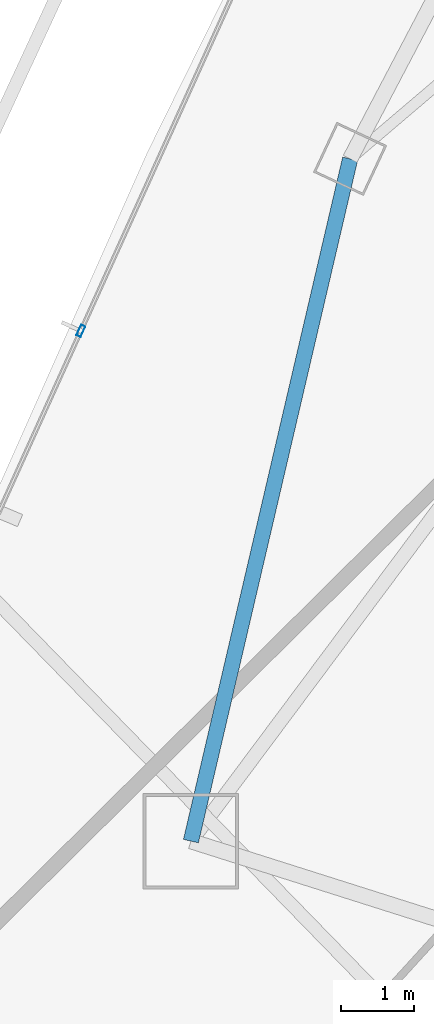
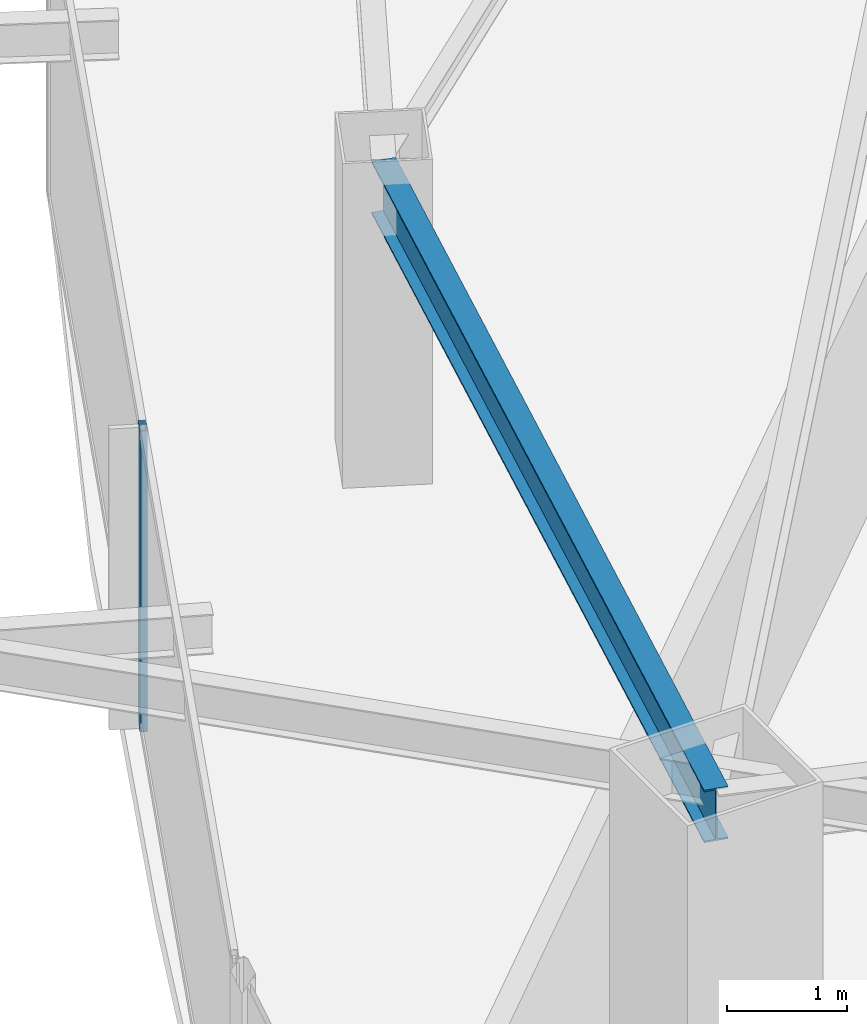
# One storey, part 6 of 33: 1 beam, 1 member, 1 element without a shape of its own.
"""IFC4 building model written with IfcOpenShell, lengths in metres."""

import ifcopenshell
import ifcopenshell.guid

model = None  # the IFC model being written
_history = None  # IfcOwnerHistory: only IFC2X3 demands one
_inside = {}  # id of a spatial element -> (the spatial element, [elements in it])
_under = {}  # id of a project, library or spatial element -> (it, [spatial elements below it])
_declared = {}  # id of a project -> (the project, [libraries it declares])
_typed = {}  # id of a type object -> (the type object, [elements of that type])
_made_of = {}  # id of a material, layer set ... -> (it, [elements and type objects made of it])


def new_model(schema):
    """Start an empty IFC model of exactly this schema.

    Asked for "IFC4X3", IfcOpenShell would pick the latest addendum, in which some entities
    have other attributes; the version numbers below select the first issue.
    IFC2X3 requires an IfcOwnerHistory on every rooted entity: one is made here for all.
    """
    global model, _history
    if schema == "IFC4X3":
        model = ifcopenshell.file(schema_version=(4, 3, 0, 0))
    else:
        model = ifcopenshell.file(schema=schema)
    _inside.clear()
    _under.clear()
    _declared.clear()
    _typed.clear()
    _made_of.clear()
    _history = None
    if model.schema == "IFC2X3":
        org = make("IfcOrganization", Name="unknown")
        user = make(
            "IfcPersonAndOrganization",
            ThePerson=make("IfcPerson", FamilyName="unknown"),
            TheOrganization=org,
        )
        app = make(
            "IfcApplication",
            ApplicationDeveloper=org,
            Version="unknown",
            ApplicationFullName="unknown",
            ApplicationIdentifier="unknown",
        )
        _history = make(
            "IfcOwnerHistory",
            OwningUser=user,
            OwningApplication=app,
            ChangeAction="ADDED",
            CreationDate=0,
        )
    return model


def make(cls, **values):
    """One entity of the class cls with the attributes given. An attribute that is None is left unset."""
    return model.create_entity(
        cls, **{name: value for name, value in values.items() if value is not None}
    )


def rooted(cls, **values):
    """An entity with a GlobalId (a new one), such as an element, a storey or a relation."""
    return make(cls, GlobalId=ifcopenshell.guid.new(), OwnerHistory=_history, **values)


def si_unit(unit_type, name, prefix=None):
    """IfcSIUnit, for example si_unit("LENGTHUNIT", "METRE", prefix="MILLI")."""
    return make("IfcSIUnit", UnitType=unit_type, Prefix=prefix, Name=name)


def assignment(units):
    """IfcUnitAssignment: the units of a project."""
    return None if units is None else make("IfcUnitAssignment", Units=units)


def point(xyz):
    """IfcCartesianPoint."""
    return None if xyz is None else make("IfcCartesianPoint", Coordinates=xyz)


def direction(xyz):
    """IfcDirection."""
    return None if xyz is None else make("IfcDirection", DirectionRatios=xyz)


def frame(location, z_axis=None, x_axis=None):
    """IfcAxis2Placement3D, a coordinate frame: its origin and axes. An axis left out is left unset."""
    return make(
        "IfcAxis2Placement3D",
        Location=point(location),
        Axis=direction(z_axis),
        RefDirection=direction(x_axis),
    )


def frame_2d(location, x_axis=None):
    """IfcAxis2Placement2D, a coordinate frame in the plane: its origin and x axis."""
    return make(
        "IfcAxis2Placement2D", Location=point(location), RefDirection=direction(x_axis)
    )


def origin():
    """The frame at (0, 0, 0) with its axes left unset."""
    return frame((0.0, 0.0, 0.0))


def origin_2d():
    """The frame at (0, 0) in the plane with its x axis left unset."""
    return frame_2d((0.0, 0.0))


def place(relative_to, where):
    """IfcLocalPlacement: puts the frame where relative to a parent placement (None: the world)."""
    return make(
        "IfcLocalPlacement", PlacementRelTo=relative_to, RelativePlacement=where
    )


def context(
    kind, dimensions, precision=None, world=None, true_north=None, identifier=None
):
    """IfcGeometricRepresentationContext, for example the 3D "Model" context."""
    return make(
        "IfcGeometricRepresentationContext",
        ContextIdentifier=identifier,
        ContextType=kind,
        CoordinateSpaceDimension=dimensions,
        Precision=precision,
        WorldCoordinateSystem=world,
        TrueNorth=true_north,
    )


def subcontext(parent, identifier, kind, view, scale=None):
    """IfcGeometricRepresentationSubContext, for example "Body" below "Model"."""
    return make(
        "IfcGeometricRepresentationSubContext",
        ContextIdentifier=identifier,
        ContextType=kind,
        ParentContext=parent,
        TargetScale=scale,
        TargetView=view,
    )


def project(units=None, contexts=None):
    """IfcProject with its units and contexts."""
    return rooted(
        "IfcProject",
        Name="project",
        RepresentationContexts=contexts,
        UnitsInContext=assignment(units),
    )


def spatial(cls, under=None, at=None, **own):
    """A site, building, storey or space (cls), placed at a placement, below another one or the project."""
    s = rooted(cls, ObjectPlacement=at, **own)
    if under is not None:
        _under.setdefault(under.id(), (under, []))[1].append(s)
    return s


def profile(cls, at=None, kind="AREA", **sizes):
    """A parametric profile (cls). Its sizes go by their IFC names, for example OverallWidth=200.0."""
    return make(cls, ProfileType=kind, Position=at, **sizes)


def hollow_rectangle(**sizes):
    """IfcRectangleHollowProfileDef."""
    return profile("IfcRectangleHollowProfileDef", **sizes)


def i_section(**sizes):
    """IfcIShapeProfileDef."""
    return profile("IfcIShapeProfileDef", **sizes)


def extrude(swept, where, along, depth):
    """IfcExtrudedAreaSolid: the profile swept, set in the frame where, extruded along a direction by depth."""
    return make(
        "IfcExtrudedAreaSolid",
        SweptArea=swept,
        Position=where,
        ExtrudedDirection=direction(along),
        Depth=depth,
    )


def shape(context_of_items, identifier, shape_type, items):
    """IfcShapeRepresentation: the items that make up one representation, for example the "Body"."""
    return make(
        "IfcShapeRepresentation",
        ContextOfItems=context_of_items,
        RepresentationIdentifier=identifier,
        RepresentationType=shape_type,
        Items=items,
    )


def material(Name=None, Category=None):
    """IfcMaterial."""
    return make("IfcMaterial", Name=Name, Category=Category)


def layer(
    of_material, thickness, ventilated=None, Name=None, Category=None, Priority=None
):
    """IfcMaterialLayer: one layer of a wall or slab, of a material (None: an air gap)."""
    return make(
        "IfcMaterialLayer",
        Material=of_material,
        LayerThickness=thickness,
        IsVentilated=ventilated,
        Name=Name,
        Category=Category,
        Priority=Priority,
    )


def layer_set(layers, Name=None):
    """IfcMaterialLayerSet."""
    return make("IfcMaterialLayerSet", MaterialLayers=layers, LayerSetName=Name)


def material_profile(
    of_material, cross_section, Name=None, Category=None, Priority=None
):
    """IfcMaterialProfile: a cross section and its material."""
    return make(
        "IfcMaterialProfile",
        Name=Name,
        Material=of_material,
        Profile=cross_section,
        Priority=Priority,
        Category=Category,
    )


def profile_set(profiles, Name=None, composite=None):
    """IfcMaterialProfileSet."""
    return make(
        "IfcMaterialProfileSet",
        Name=Name,
        MaterialProfiles=profiles,
        CompositeProfile=composite,
    )


def made_of(thing, what):
    """Note that an element or type object is made of a material, layer set ...; save() writes the relation."""
    if what is not None:
        _made_of.setdefault(what.id(), (what, []))[1].append(thing)
    return thing


def type_object(cls, material=None, **own):
    """A type object (cls), such as IfcWallType, which elements share."""
    return made_of(rooted(cls, **own), material)


def element(
    cls,
    number,
    at=None,
    inside=None,
    cuts=None,
    type_object=None,
    material=None,
    context=None,
    identifier="Body",
    shape_type=None,
    held_by="IfcProductDefinitionShape",
    body=None,
    shapes=None,
    **own,
):
    """One element of the class cls, such as IfcWall. Its Tag is "e" and its number.

    at: its placement. inside: the storey or other place that contains it. cuts: it is an
    opening in that element (IfcRelVoidsElement). A single representation is given by context,
    identifier, shape_type and body (its items); several are given by shapes. held_by: the class
    of the entity that holds the representations. save() writes the other relations.
    """
    e = rooted(cls, Tag="e%d" % number, ObjectPlacement=at, **own)
    if body is not None:
        shapes = [shape(context, identifier, shape_type, body)]
    if shapes is not None:
        e.Representation = make(held_by, Representations=shapes)
    if inside is not None:
        _inside.setdefault(inside.id(), (inside, []))[1].append(e)
    if cuts is not None:
        rooted(
            "IfcRelVoidsElement", RelatingBuildingElement=cuts, RelatedOpeningElement=e
        )
    if type_object is not None:
        _typed.setdefault(type_object.id(), (type_object, []))[1].append(e)
    return made_of(e, material)


def aggregate(whole, parts):
    """IfcRelAggregates: a whole, such as a stair, and the parts it consists of."""
    return rooted("IfcRelAggregates", RelatingObject=whole, RelatedObjects=parts)


def save(model, path):
    """Write the relations noted so far, then the file.

    IfcRelAggregates (storeys below a building ...), IfcRelContainedInSpatialStructure (elements
    in a storey), IfcRelDefinesByType, IfcRelAssociatesMaterial and IfcRelDeclares: one each for
    every whole, place, type object, material and project.
    """
    for whole, parts in _under.values():
        aggregate(whole, parts)
    for where, things in _inside.values():
        rooted(
            "IfcRelContainedInSpatialStructure",
            RelatedElements=things,
            RelatingStructure=where,
        )
    for kind, things in _typed.values():
        rooted("IfcRelDefinesByType", RelatedObjects=things, RelatingType=kind)
    for what, things in _made_of.values():
        rooted("IfcRelAssociatesMaterial", RelatedObjects=things, RelatingMaterial=what)
    for by, libraries in _declared.values():
        rooted("IfcRelDeclares", RelatingContext=by, RelatedDefinitions=libraries)
    model.write(path)


model = new_model("IFC4")

# Units and contexts
model_context = context("Model", 3, precision=1e-05, world=origin(), true_north=direction((0.0, 1.0)))
body_context = subcontext(model_context, "Body", "Model", "MODEL_VIEW")
ifc_project = project(units=[si_unit("LENGTHUNIT", "METRE"), si_unit("AREAUNIT", "SQUARE_METRE"), si_unit("VOLUMEUNIT", "CUBIC_METRE"), si_unit("PLANEANGLEUNIT", "RADIAN"), si_unit("MASSUNIT", "GRAM", prefix="KILO")], contexts=[model_context])

# Site, building, storey
site_placement = place(None, origin())
site = spatial("IfcSite", under=ifc_project, at=site_placement, CompositionType="ELEMENT")
building_placement = place(site_placement, origin())
building = spatial("IfcBuilding", under=site, at=building_placement, Name="Orvanel Arch Residences", CompositionType="ELEMENT")
storey_placement = place(building_placement, frame((0.0, 0.0, 196.39990234375)))
storey = spatial("IfcBuildingStorey", under=building, at=storey_placement, Name="L55", CompositionType="ELEMENT", Elevation=196.39990234375)

# Curtain wall, member
ifc_material_1 = material(Name="Bronze-anodised aluminium AA6063-T6", Category="aluminium")
ifc_layer = layer(ifc_material_1, 0.175048828125)
ifc_layer_set = layer_set([ifc_layer], Name="Bronze-anodised aluminium AA6063-T6")
curtain_wall_type = type_object("IfcCurtainWallType", Name="CW4-HI-SYS", PredefinedType="NOTDEFINED", material=ifc_layer_set)
curtain_wall_placement = place(storey_placement, origin())
curtain_wall = element("IfcCurtainWall", 1, at=curtain_wall_placement, inside=storey, type_object=curtain_wall_type, Name="L55 CW4-HI-SYS Unitised Curtain Wall", PredefinedType="NOTDEFINED")
ifc_material_profile_1 = material_profile(ifc_material_1, hollow_rectangle(XDim=0.06494140625, YDim=0.159912109375, WallThickness=0.00390625, at=origin_2d()), Name="ALU160x65x4")
ifc_profile_set_1 = profile_set([ifc_material_profile_1], Name="Bronze-anodised aluminium AA6063-T6")
member_type = type_object("IfcMemberType", Name="MUL-160x65", PredefinedType="MULLION", material=ifc_profile_set_1)
member_placement = place(storey_placement, frame((12.699951171875, 17.299560546875, 0.0), z_axis=(0.0, 0.0, 1.0), x_axis=(0.911289439148, -0.41176638777, 0.0)))
member = element("IfcMember", 2, at=member_placement, type_object=member_type, Name="CW-S4 mullion 2", PredefinedType="MULLION", context=body_context, shape_type="SweptSolid", body=[
    extrude(hollow_rectangle(XDim=0.06494140625, YDim=0.159912109375, WallThickness=0.00390625, at=origin_2d()), origin(), (0.0, 0.0, 1.0), 3.06005859375),
])
aggregate(curtain_wall, [member])

# Beam
ifc_material_2 = material(Name="Structural steel AS/NZS 3679.1 Grade 300 (300 MPa)", Category="steel")
ifc_material_profile_2 = material_profile(ifc_material_2, i_section(OverallWidth=0.208984375, OverallDepth=0.532958984375, WebThickness=0.01025390625, FlangeThickness=0.015625, at=origin_2d()), Name="530UB92.4")
ifc_profile_set_2 = profile_set([ifc_material_profile_2], Name="Structural steel AS/NZS 3679.1 Grade 300 (300 MPa)")
beam_type = type_object("IfcBeamType", Name="SP-530UB", PredefinedType="SPANDREL", material=ifc_profile_set_2)
beam_placement = place(storey_placement, frame((16.366943359375, 19.64208984375, 2.794189453125), z_axis=(-0.227236087167, -0.973839699688, 0.0), x_axis=(0.973839699688, -0.227236087167, 0.0)))
element("IfcBeam", 3, at=beam_placement, inside=storey, type_object=beam_type, Name="L55 Perimeter Spandrel Beam 01", PredefinedType="SPANDREL", context=body_context, shape_type="SweptSolid", body=[
    extrude(i_section(OverallWidth=0.208984375, OverallDepth=0.532958984375, WebThickness=0.01025390625, FlangeThickness=0.015625, at=origin_2d()), origin(), (0.0, 0.0, 1.0), 9.54052734375),
])

save(model, "model.ifc")
